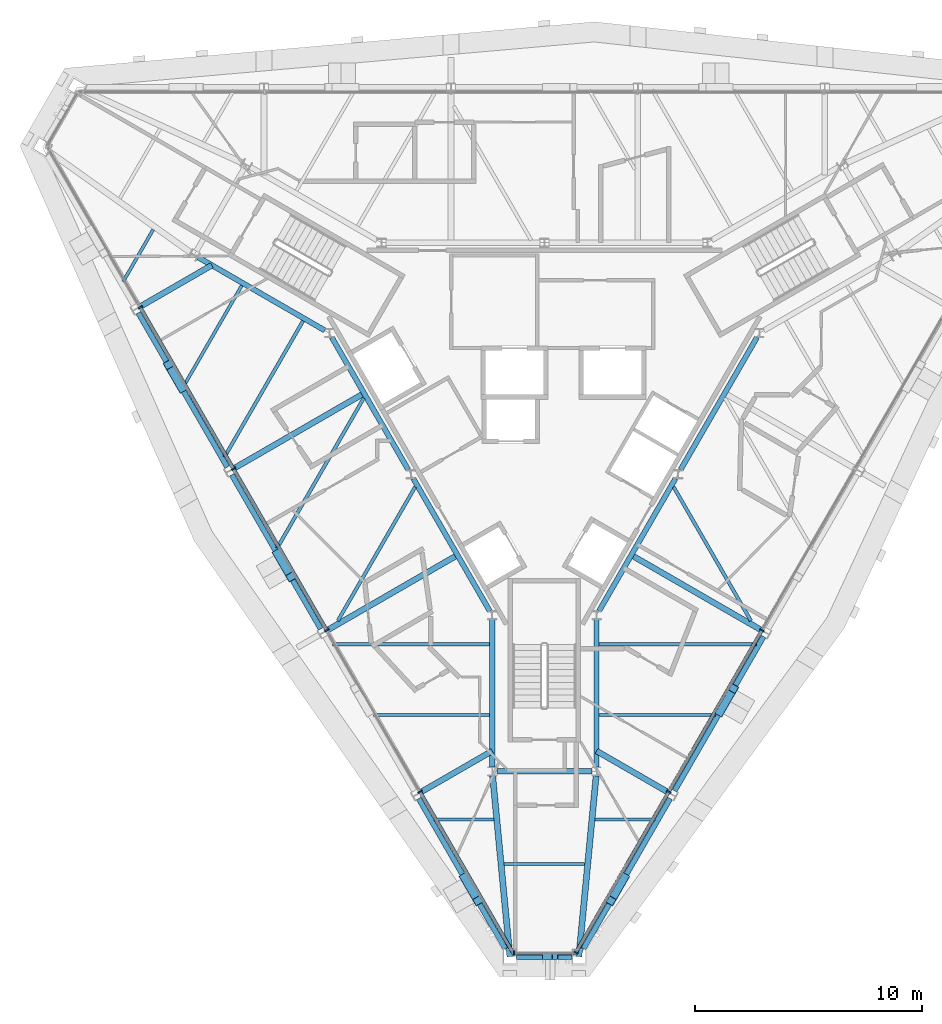
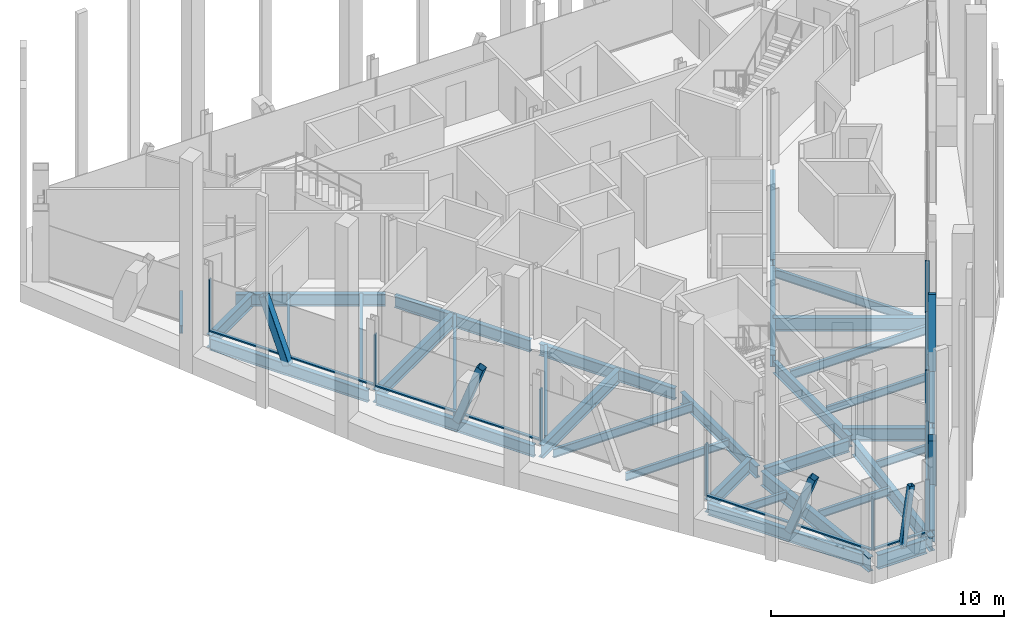
# One storey, part 3 of 13: 35 beams, 20 members, 3 elements without a shape of their own.
"""IFC4 building model written with IfcOpenShell, lengths in metres."""

from ifc_helpers import new_model, si_unit, direction, frame, origin, origin_2d, place, context, subcontext, project, spatial, rectangle, hollow_rectangle, i_section, extrude, material, material_profile, profile_set, type_object, element, aggregate, save


model = new_model("IFC4")

# Units and contexts
model_context = context("Model", 3, precision=1e-05, world=origin(), true_north=direction((0.0, 1.0)))
body_context = subcontext(model_context, "Body", "Model", "MODEL_VIEW")
ifc_project = project(units=[si_unit("LENGTHUNIT", "METRE"), si_unit("AREAUNIT", "SQUARE_METRE"), si_unit("VOLUMEUNIT", "CUBIC_METRE"), si_unit("PLANEANGLEUNIT", "RADIAN"), si_unit("MASSUNIT", "GRAM", prefix="KILO")], contexts=[model_context])

# Site, building, storey
site_placement = place(None, origin())
site = spatial("IfcSite", under=ifc_project, at=site_placement, CompositionType="ELEMENT")
building_placement = place(site_placement, origin())
building = spatial("IfcBuilding", under=site, at=building_placement, Name="Verrane Prism Tower", CompositionType="ELEMENT")
storey_placement = place(building_placement, frame((0.0, 0.0, 275.10009765625)))
storey = spatial("IfcBuildingStorey", under=building, at=storey_placement, Name="L69", CompositionType="ELEMENT", Elevation=275.10009765625)

# Member
ifc_material_1 = material(Name="Steel A500 Grade C", Category="steel")
ifc_material_profile_1 = material_profile(ifc_material_1, hollow_rectangle(XDim=0.25390625, YDim=0.25390625, WallThickness=0.009521484375, InnerFilletRadius=0.0048828125, OuterFilletRadius=0.014404296875, at=origin_2d()), Name="HSS10x10x3/8")
ifc_profile_set_1 = profile_set([ifc_material_profile_1], Name="Steel A500 Grade C")
member_type_1 = type_object("IfcMemberType", Name="Chamfer brace HSS10x10x3/8", PredefinedType="BRACE", material=ifc_profile_set_1)
member_1_placement = place(storey_placement, frame((0.04052734375, -24.669921875, -0.24267578125), z_axis=(0.13564452477, 0.0, 0.990757570196), x_axis=(0.0, 1.0, 0.0)))
element("IfcMember", 1, at=member_1_placement, inside=storey, type_object=member_type_1, Name="Chamfer brace S0 L69", PredefinedType="BRACE", context=body_context, shape_type="SweptSolid", body=[
    extrude(hollow_rectangle(XDim=0.25390625, YDim=0.25390625, WallThickness=0.009521484375, InnerFilletRadius=0.0048828125, OuterFilletRadius=0.014404296875, at=origin_2d()), origin(), (0.0, 0.0, 1.0), 3.13720703125),
])

# Beams
ifc_material_2 = material(Name="Steel A992", Category="steel")
ifc_material_profile_2 = material_profile(ifc_material_2, i_section(OverallWidth=0.2666015625, OverallDepth=0.7568359375, WebThickness=0.013916015625, FlangeThickness=0.019287109375, FilletRadius=0.0166015625, at=origin_2d()), Name="W30x108")
ifc_profile_set_2 = profile_set([ifc_material_profile_2], Name="Steel A992")
beam_type_1 = type_object("IfcBeamType", Name="Chamfer spandrel beam W30x108", PredefinedType="SPANDREL", material=ifc_profile_set_2)
beam_1_placement = place(storey_placement, frame((-1.219970703125, -24.669921875, -0.53857421875), z_axis=(1.0, 0.0, 0.0), x_axis=(0.0, 1.0, 0.0)))
element("IfcBeam", 2, at=beam_1_placement, inside=storey, type_object=beam_type_1, Name="Chamfer spandrel beam L69", PredefinedType="SPANDREL", context=body_context, shape_type="SweptSolid", body=[
    extrude(i_section(OverallWidth=0.2666015625, OverallDepth=0.7568359375, WebThickness=0.013916015625, FlangeThickness=0.019287109375, FilletRadius=0.0166015625, at=origin_2d()), origin(), (0.0, 0.0, 1.0), 2.43994140625),
])
ifc_material_3 = material(Name="Steel A992", Category="steel")
ifc_material_profile_3 = material_profile(ifc_material_3, i_section(OverallWidth=0.23046875, OverallDepth=0.6171875, WebThickness=0.01318359375, FlangeThickness=0.022216796875, FilletRadius=0.012939453125, at=origin_2d()), Name="W24x94")
ifc_profile_set_3 = profile_set([ifc_material_profile_3], Name="Steel A992")
beam_type_2 = type_object("IfcBeamType", Name="Core ring girder W24x94", PredefinedType="BEAM", material=ifc_profile_set_3)
beam_2_placement = place(storey_placement, frame((-15.267333984375, 6.160400390625, -0.55859375), z_axis=(0.866080992722, -0.499903704773, 0.0), x_axis=(0.499903704773, 0.866080992722, 0.0)))
element("IfcBeam", 3, at=beam_2_placement, inside=storey, type_object=beam_type_2, Name="Core ring girder L69", PredefinedType="BEAM", context=body_context, shape_type="SweptSolid", body=[
    extrude(i_section(OverallWidth=0.23046875, OverallDepth=0.6171875, WebThickness=0.01318359375, FlangeThickness=0.022216796875, FilletRadius=0.012939453125, at=origin_2d()), origin(), (0.0, 0.0, 1.0), 6.451904296875),
])
for number, where, z_axis, x_axis, name in (
    (4, (-9.36865234375, 2.626953125, -0.55859375), (0.499881421193, -0.866093854468, 0.0), (0.866093854468, 0.499881421193, 0.0), "Core ring girder L69"),
    (5, (-5.778564453125, -3.593017578125, -0.55859375), (0.499881421193, -0.866093854468, 0.0), (0.866093854468, 0.499881421193, 0.0), "Core ring girder L69"),
):
    element("IfcBeam", number, at=place(storey_placement, frame(where, z_axis=z_axis, x_axis=x_axis)), inside=storey, type_object=beam_type_2, Name=name, PredefinedType="BEAM", context=body_context, shape_type="SweptSolid", body=[
        extrude(i_section(OverallWidth=0.23046875, OverallDepth=0.6171875, WebThickness=0.01318359375, FlangeThickness=0.022216796875, FilletRadius=0.012939453125, at=origin_2d()), origin(), (0.0, 0.0, 1.0), 6.736083984375),
    ])
beam_3_placement = place(storey_placement, frame((-2.300048828125, -9.81298828125, -0.55859375), z_axis=(0.0, -1.0, 0.0), x_axis=(1.0, 0.0, 0.0)))
element("IfcBeam", 6, at=beam_3_placement, inside=storey, type_object=beam_type_2, Name="Core ring girder L69", PredefinedType="BEAM", context=body_context, shape_type="SweptSolid", body=[
    extrude(i_section(OverallWidth=0.23046875, OverallDepth=0.6171875, WebThickness=0.01318359375, FlangeThickness=0.022216796875, FilletRadius=0.012939453125, at=origin_2d()), origin(), (0.0, 0.0, 1.0), 6.487548828125),
])
beam_4_placement = place(storey_placement, frame((-2.099365234375, -16.5, -0.55859375), z_axis=(1.0, 0.0, 0.0), x_axis=(0.0, 1.0, 0.0)))
element("IfcBeam", 7, at=beam_4_placement, inside=storey, type_object=beam_type_2, Name="Core ring girder L69", PredefinedType="BEAM", context=body_context, shape_type="SweptSolid", body=[
    extrude(i_section(OverallWidth=0.23046875, OverallDepth=0.6171875, WebThickness=0.01318359375, FlangeThickness=0.022216796875, FilletRadius=0.012939453125, at=origin_2d()), origin(), (0.0, 0.0, 1.0), 4.19873046875),
])
beam_5_placement = place(storey_placement, frame((2.300048828125, -16.300537109375, -0.55859375), z_axis=(0.0, 1.0, 0.0), x_axis=(-1.0, 0.0, 0.0)))
element("IfcBeam", 8, at=beam_5_placement, inside=storey, type_object=beam_type_2, Name="Core ring girder L69", PredefinedType="BEAM", context=body_context, shape_type="SweptSolid", body=[
    extrude(i_section(OverallWidth=0.23046875, OverallDepth=0.6171875, WebThickness=0.01318359375, FlangeThickness=0.022216796875, FilletRadius=0.012939453125, at=origin_2d()), origin(), (0.0, 0.0, 1.0), 6.487548828125),
])
for number, where, z_axis, x_axis, name in (
    (9, (2.411376953125, -9.427001953125, -0.55859375), (0.499881421193, 0.866093854468, 0.0), (-0.866093854468, 0.499881421193, 0.0), "Core ring girder L69"),
    (10, (6.00146484375, -3.20703125, -0.55859375), (0.499881421193, 0.866093854468, 0.0), (-0.866093854468, 0.499881421193, 0.0), "Core ring girder L69"),
):
    element("IfcBeam", number, at=place(storey_placement, frame(where, z_axis=z_axis, x_axis=x_axis)), inside=storey, type_object=beam_type_2, Name=name, PredefinedType="BEAM", context=body_context, shape_type="SweptSolid", body=[
        extrude(i_section(OverallWidth=0.23046875, OverallDepth=0.6171875, WebThickness=0.01318359375, FlangeThickness=0.022216796875, FilletRadius=0.012939453125, at=origin_2d()), origin(), (0.0, 0.0, 1.0), 6.736083984375),
    ])
ifc_material_4 = material(Name="Steel A992", Category="steel")
ifc_material_profile_4 = material_profile(ifc_material_4, i_section(OverallWidth=0.2666015625, OverallDepth=0.7568359375, WebThickness=0.013916015625, FlangeThickness=0.019287109375, FilletRadius=0.0166015625, at=origin_2d()), Name="W30x108")
ifc_profile_set_4 = profile_set([ifc_material_profile_4], Name="Steel A992")
beam_type_3 = type_object("IfcBeamType", Name="Corner girder W30x108", PredefinedType="BEAM", material=ifc_profile_set_4)
for number, where, z_axis, x_axis, name in (
    (11, (-1.520263671875, -24.667236328125, -0.5986328125), (-0.095045157177, 0.995472962012, 0.0), (-0.995472962012, -0.095045157177, 0.0), "Corner girder L69"),
    (12, (1.520263671875, -24.667236328125, -0.5986328125), (0.095045157177, 0.995472962012, 0.0), (-0.995472962012, 0.095045157177, 0.0), "Corner girder L69"),
):
    element("IfcBeam", number, at=place(storey_placement, frame(where, z_axis=z_axis, x_axis=x_axis)), inside=storey, type_object=beam_type_3, Name=name, PredefinedType="BEAM", context=body_context, shape_type="SweptSolid", body=[
        extrude(i_section(OverallWidth=0.2666015625, OverallDepth=0.7568359375, WebThickness=0.013916015625, FlangeThickness=0.019287109375, FilletRadius=0.0166015625, at=origin_2d()), origin(), (0.0, 0.0, 1.0), 8.00390625),
    ])

# Members
ifc_material_5 = material(Name="Steel A500 Grade C", Category="steel")
ifc_material_profile_5 = material_profile(ifc_material_5, hollow_rectangle(XDim=0.355712890625, YDim=0.355712890625, WallThickness=0.0126953125, InnerFilletRadius=0.00634765625, OuterFilletRadius=0.01904296875, at=origin_2d()), Name="HSS14x14x1/2")
ifc_profile_set_5 = profile_set([ifc_material_profile_5], Name="Steel A500 Grade C")
member_type_2 = type_object("IfcMemberType", Name="Facade brace HSS14x14x1/2", PredefinedType="BRACE", material=ifc_profile_set_5)
member_2_placement = place(storey_placement, frame((-15.98681640625, 0.39111328125, -0.216796875), z_axis=(-0.173933329841, 0.301465343199, 0.937478449683), x_axis=(-0.866171884844, -0.499746201493, 0.0)))
element("IfcMember", 13, at=member_2_placement, inside=storey, type_object=member_type_2, Name="Facade brace SW1 L69", PredefinedType="BRACE", context=body_context, shape_type="SweptSolid", body=[
    extrude(hollow_rectangle(XDim=0.355712890625, YDim=0.355712890625, WallThickness=0.0126953125, InnerFilletRadius=0.00634765625, OuterFilletRadius=0.01904296875, at=origin_2d()), origin(), (0.0, 0.0, 1.0), 3.409423828125),
])
member_3_placement = place(storey_placement, frame((-11.773193359375, -6.906005859375, -0.216796875), z_axis=(0.173955846373, -0.301074671944, 0.937599810914), x_axis=(0.865863090637, 0.500281029295, 0.0)))
element("IfcMember", 14, at=member_3_placement, inside=storey, type_object=member_type_2, Name="Facade brace SW2 L69", PredefinedType="BRACE", context=body_context, shape_type="SweptSolid", body=[
    extrude(hollow_rectangle(XDim=0.355712890625, YDim=0.355712890625, WallThickness=0.0126953125, InnerFilletRadius=0.00634765625, OuterFilletRadius=0.01904296875, at=origin_2d()), origin(), (0.0, 0.0, 1.0), 3.408935546875),
])
for number, where, z_axis, x_axis, name in (
    (15, (-3.533203125, -21.180908203125, -0.216796875), (0.173929574815, -0.301530440323, 0.937458210569), (0.866223254293, 0.499657156181, 0.0), "Facade brace SW4 L69"),
    (16, (3.533203125, -21.180908203125, -0.216796875), (-0.173929574815, -0.301530440323, 0.937458210569), (0.866223254293, -0.499657156181, 0.0), "Facade brace SE0 L69"),
    (17, (7.74658203125, -13.87890625, -0.216796875), (0.174002769202, 0.301461587794, 0.937466771355), (-0.86608282171, 0.499900536046, 0.0), "Facade brace SE1 L69"),
):
    element("IfcMember", number, at=place(storey_placement, frame(where, z_axis=z_axis, x_axis=x_axis)), inside=storey, type_object=member_type_2, Name=name, PredefinedType="BRACE", context=body_context, shape_type="SweptSolid", body=[
        extrude(hollow_rectangle(XDim=0.355712890625, YDim=0.355712890625, WallThickness=0.0126953125, InnerFilletRadius=0.00634765625, OuterFilletRadius=0.01904296875, at=origin_2d()), origin(), (0.0, 0.0, 1.0), 3.409423828125),
    ])

# Beams
ifc_material_6 = material(Name="Steel A992", Category="steel")
ifc_material_profile_6 = material_profile(ifc_material_6, i_section(OverallWidth=0.140380859375, OverallDepth=0.40380859375, WebThickness=0.007080078125, FlangeThickness=0.01123046875, FilletRadius=0.01025390625, at=origin_2d()), Name="W16x31")
ifc_profile_set_6 = profile_set([ifc_material_profile_6], Name="Steel A992")
beam_type_4 = type_object("IfcBeamType", Name="Floor beam W16x31", PredefinedType="BEAM", material=ifc_profile_set_6)
beam_6_placement = place(storey_placement, frame((-18.565185546875, 5.089599609375, -0.362060546875), z_axis=(0.49994082229, 0.866059567356, 0.0), x_axis=(-0.866059567356, 0.49994082229, 0.0)))
element("IfcBeam", 18, at=beam_6_placement, inside=storey, type_object=beam_type_4, Name="Floor beam L69", PredefinedType="BEAM", context=body_context, shape_type="SweptSolid", body=[
    extrude(i_section(OverallWidth=0.140380859375, OverallDepth=0.40380859375, WebThickness=0.007080078125, FlangeThickness=0.01123046875, FilletRadius=0.01025390625, at=origin_2d()), origin(), (0.0, 0.0, 1.0), 2.645263671875),
])
beam_7_placement = place(storey_placement, frame((-15.902099609375, 0.474609375, -0.362060546875), z_axis=(0.500011000363, 0.866019052629, 0.0), x_axis=(-0.866019052629, 0.500011000363, 0.0)))
element("IfcBeam", 19, at=beam_7_placement, inside=storey, type_object=beam_type_4, Name="Floor beam L69", PredefinedType="BEAM", context=body_context, shape_type="SweptSolid", body=[
    extrude(i_section(OverallWidth=0.140380859375, OverallDepth=0.40380859375, WebThickness=0.007080078125, FlangeThickness=0.01123046875, FilletRadius=0.01025390625, at=origin_2d()), origin(), (0.0, 0.0, 1.0), 5.126953125),
])
beam_8_placement = place(storey_placement, frame((-7.538330078125, -14.010009765625, -0.362060546875), z_axis=(1.0, 0.0, 0.0), x_axis=(0.0, 1.0, 0.0)))
element("IfcBeam", 20, at=beam_8_placement, inside=storey, type_object=beam_type_4, Name="Floor beam L69", PredefinedType="BEAM", context=body_context, shape_type="SweptSolid", body=[
    extrude(i_section(OverallWidth=0.140380859375, OverallDepth=0.40380859375, WebThickness=0.007080078125, FlangeThickness=0.01123046875, FilletRadius=0.01025390625, at=origin_2d()), origin(), (0.0, 0.0, 1.0), 5.123291015625),
])
for number, where, z_axis, x_axis, name in (
    (21, (-4.876220703125, -18.623291015625, -0.362060546875), (1.0, 0.0, 0.0), (0.0, 1.0, 0.0), "Floor beam L69"),
    (22, (2.2314453125, -18.623291015625, -0.362060546875), (1.0, 0.0, 0.0), (0.0, 1.0, 0.0), "Floor beam L69"),
):
    element("IfcBeam", number, at=place(storey_placement, frame(where, z_axis=z_axis, x_axis=x_axis)), inside=storey, type_object=beam_type_4, Name=name, PredefinedType="BEAM", context=body_context, shape_type="SweptSolid", body=[
        extrude(i_section(OverallWidth=0.140380859375, OverallDepth=0.40380859375, WebThickness=0.007080078125, FlangeThickness=0.01123046875, FilletRadius=0.01025390625, at=origin_2d()), origin(), (0.0, 0.0, 1.0), 2.644775390625),
    ])
beam_9_placement = place(storey_placement, frame((2.4150390625, -14.010009765625, -0.362060546875), z_axis=(1.0, 0.0, 0.0), x_axis=(0.0, 1.0, 0.0)))
element("IfcBeam", 23, at=beam_9_placement, inside=storey, type_object=beam_type_4, Name="Floor beam L69", PredefinedType="BEAM", context=body_context, shape_type="SweptSolid", body=[
    extrude(i_section(OverallWidth=0.140380859375, OverallDepth=0.40380859375, WebThickness=0.007080078125, FlangeThickness=0.01123046875, FilletRadius=0.01025390625, at=origin_2d()), origin(), (0.0, 0.0, 1.0), 5.123291015625),
])
beam_10_placement = place(storey_placement, frame((-1.77587890625, -20.5849609375, -0.362060546875), z_axis=(1.0, 0.0, 0.0), x_axis=(0.0, 1.0, 0.0)))
element("IfcBeam", 24, at=beam_10_placement, inside=storey, type_object=beam_type_4, Name="Floor beam L69", PredefinedType="BEAM", context=body_context, shape_type="SweptSolid", body=[
    extrude(i_section(OverallWidth=0.140380859375, OverallDepth=0.40380859375, WebThickness=0.007080078125, FlangeThickness=0.01123046875, FilletRadius=0.01025390625, at=origin_2d()), origin(), (0.0, 0.0, 1.0), 3.5517578125),
])
ifc_material_7 = material(Name="Steel A992", Category="steel")
ifc_material_profile_7 = material_profile(ifc_material_7, i_section(OverallWidth=0.15234375, OverallDepth=0.449462890625, WebThickness=0.007568359375, FlangeThickness=0.0107421875, FilletRadius=0.01025390625, at=origin_2d()), Name="W18x35")
ifc_profile_set_7 = profile_set([ifc_material_profile_7], Name="Steel A992")
beam_type_5 = type_object("IfcBeamType", Name="Floor beam W18x35", PredefinedType="BEAM", material=ifc_profile_set_7)
beam_11_placement = place(storey_placement, frame((-14.1015625, -2.64599609375, -0.385009765625), z_axis=(0.49999287541, 0.866029517129, 0.0), x_axis=(-0.866029517129, 0.49999287541, 0.0)))
element("IfcBeam", 25, at=beam_11_placement, inside=storey, type_object=beam_type_5, Name="Floor beam L69", PredefinedType="BEAM", context=body_context, shape_type="SweptSolid", body=[
    extrude(i_section(OverallWidth=0.15234375, OverallDepth=0.449462890625, WebThickness=0.007568359375, FlangeThickness=0.0107421875, FilletRadius=0.01025390625, at=origin_2d()), origin(), (0.0, 0.0, 1.0), 6.92919921875),
])
beam_12_placement = place(storey_placement, frame((-9.103271484375, -9.864501953125, -0.385009765625), z_axis=(0.49999337185, 0.866029230515, 0.0), x_axis=(-0.866029230515, 0.49999337185, 0.0)))
element("IfcBeam", 26, at=beam_12_placement, inside=storey, type_object=beam_type_5, Name="Floor beam L69", PredefinedType="BEAM", context=body_context, shape_type="SweptSolid", body=[
    extrude(i_section(OverallWidth=0.15234375, OverallDepth=0.449462890625, WebThickness=0.007568359375, FlangeThickness=0.0107421875, FilletRadius=0.01025390625, at=origin_2d()), origin(), (0.0, 0.0, 1.0), 6.8125),
])
beam_13_placement = place(storey_placement, frame((-11.78076171875, -6.6630859375, -0.385009765625), z_axis=(0.499997113229, 0.866027070456, 0.0), x_axis=(-0.866027070456, 0.499997113229, 0.0)))
element("IfcBeam", 27, at=beam_13_placement, inside=storey, type_object=beam_type_5, Name="Floor beam L69", PredefinedType="BEAM", context=body_context, shape_type="SweptSolid", body=[
    extrude(i_section(OverallWidth=0.15234375, OverallDepth=0.449462890625, WebThickness=0.007568359375, FlangeThickness=0.0107421875, FilletRadius=0.01025390625, at=origin_2d()), origin(), (0.0, 0.0, 1.0), 7.64306640625),
])
for number, where, z_axis, x_axis, name in (
    (28, (-9.338623046875, -10.889892578125, -0.385009765625), (1.0, 0.0, 0.0), (0.0, 1.0, 0.0), "Floor beam L69"),
    (29, (2.4150390625, -10.889892578125, -0.385009765625), (1.0, 0.0, 0.0), (0.0, 1.0, 0.0), "Floor beam L69"),
):
    element("IfcBeam", number, at=place(storey_placement, frame(where, z_axis=z_axis, x_axis=x_axis)), inside=storey, type_object=beam_type_5, Name=name, PredefinedType="BEAM", context=body_context, shape_type="SweptSolid", body=[
        extrude(i_section(OverallWidth=0.15234375, OverallDepth=0.449462890625, WebThickness=0.007568359375, FlangeThickness=0.0107421875, FilletRadius=0.01025390625, at=origin_2d()), origin(), (0.0, 0.0, 1.0), 6.923583984375),
    ])
beam_14_placement = place(storey_placement, frame((9.103271484375, -9.864501953125, -0.385009765625), z_axis=(-0.49999337185, 0.866029230515, 0.0), x_axis=(-0.866029230515, -0.49999337185, 0.0)))
element("IfcBeam", 30, at=beam_14_placement, inside=storey, type_object=beam_type_5, Name="Floor beam L69", PredefinedType="BEAM", context=body_context, shape_type="SweptSolid", body=[
    extrude(i_section(OverallWidth=0.15234375, OverallDepth=0.449462890625, WebThickness=0.007568359375, FlangeThickness=0.0107421875, FilletRadius=0.01025390625, at=origin_2d()), origin(), (0.0, 0.0, 1.0), 6.8125),
])

# Curtain wall, members
ifc_material_8 = material(Name="Aluminium framed insulated glazing", Category="aluminium")
curtain_wall_type = type_object("IfcCurtainWallType", Name="Curtain wall CW-A 8400 module", PredefinedType="NOTDEFINED", material=ifc_material_8)
curtain_wall_1_placement = place(storey_placement, origin())
curtain_wall_1 = element("IfcCurtainWall", 31, at=curtain_wall_1_placement, inside=storey, type_object=curtain_wall_type, Name="Glazed curtain wall south-west face L69", PredefinedType="NOTDEFINED")
ifc_material_9 = material(Name="Aluminium alloy 6063-T6", Category="aluminium")
ifc_material_profile_8 = material_profile(ifc_material_9, rectangle(XDim=0.199951171875, YDim=0.070068359375, at=origin_2d()), Name="Mullion 70x200 aluminium")
ifc_profile_set_8 = profile_set([ifc_material_profile_8], Name="Aluminium alloy 6063-T6")
member_type_3 = type_object("IfcMemberType", Name="Mullion 70x200 aluminium", PredefinedType="MULLION", material=ifc_profile_set_8)
member_4_placement = place(storey_placement, frame((-17.8095703125, 3.952392578125, 0.0), z_axis=(0.0, 0.0, 1.0), x_axis=(0.866024861728, 0.500000938868, 0.0)))
member_4 = element("IfcMember", 32, at=member_4_placement, type_object=member_type_3, Name="CW69.4 mullion 2", PredefinedType="MULLION", context=body_context, shape_type="SweptSolid", body=[
    extrude(rectangle(XDim=0.199951171875, YDim=0.070068359375, at=origin_2d()), origin(), (0.0, 0.0, 1.0), 2.722900390625),
])
member_5_placement = place(storey_placement, frame((-13.7001953125, -3.1650390625, 0.0), z_axis=(0.0, 0.0, 1.0), x_axis=(0.866024861728, 0.500000938868, 0.0)))
member_5 = element("IfcMember", 33, at=member_5_placement, type_object=member_type_3, Name="CW69.4 mullion 3", PredefinedType="MULLION", context=body_context, shape_type="SweptSolid", body=[
    extrude(rectangle(XDim=0.199951171875, YDim=0.070068359375, at=origin_2d()), origin(), (0.0, 0.0, 1.0), 2.722900390625),
])
member_6_placement = place(storey_placement, frame((-9.591064453125, -10.2822265625, 0.0), z_axis=(0.0, 0.0, 1.0), x_axis=(0.866024861728, 0.500000938868, 0.0)))
member_6 = element("IfcMember", 34, at=member_6_placement, type_object=member_type_3, Name="CW69.4 mullion 4", PredefinedType="MULLION", context=body_context, shape_type="SweptSolid", body=[
    extrude(rectangle(XDim=0.199951171875, YDim=0.070068359375, at=origin_2d()), origin(), (0.0, 0.0, 1.0), 2.722900390625),
])
member_7_placement = place(storey_placement, frame((-5.48193359375, -17.399658203125, 0.0), z_axis=(0.0, 0.0, 1.0), x_axis=(0.866024861728, 0.500000938868, 0.0)))
member_7 = element("IfcMember", 35, at=member_7_placement, type_object=member_type_3, Name="CW69.4 mullion 5", PredefinedType="MULLION", context=body_context, shape_type="SweptSolid", body=[
    extrude(rectangle(XDim=0.199951171875, YDim=0.070068359375, at=origin_2d()), origin(), (0.0, 0.0, 1.0), 2.722900390625),
])

# Curtain wall, member
curtain_wall_2_placement = place(storey_placement, origin())
curtain_wall_2 = element("IfcCurtainWall", 36, at=curtain_wall_2_placement, inside=storey, type_object=curtain_wall_type, Name="Glazed curtain wall south corner L69", PredefinedType="NOTDEFINED")
member_8_placement = place(storey_placement, frame((-1.337646484375, -24.51708984375, 0.0), z_axis=(0.0, 0.0, 1.0), x_axis=(0.0, 1.0, 0.0)))
member_8 = element("IfcMember", 37, at=member_8_placement, type_object=member_type_3, Name="CW69.5 mullion 1", PredefinedType="MULLION", context=body_context, shape_type="SweptSolid", body=[
    extrude(rectangle(XDim=0.199951171875, YDim=0.070068359375, at=origin_2d()), origin(), (0.0, 0.0, 1.0), 2.722900390625),
])

# Curtain wall, members
curtain_wall_3_placement = place(storey_placement, origin())
curtain_wall_3 = element("IfcCurtainWall", 38, at=curtain_wall_3_placement, inside=storey, type_object=curtain_wall_type, Name="Glazed curtain wall south-east face L69", PredefinedType="NOTDEFINED")
member_9_placement = place(storey_placement, frame((1.39013671875, -24.486572265625, 0.0), z_axis=(0.0, 0.0, 1.0), x_axis=(-0.866024861728, 0.500000938868, 0.0)))
member_9 = element("IfcMember", 39, at=member_9_placement, type_object=member_type_3, Name="CW69.6 mullion 1", PredefinedType="MULLION", context=body_context, shape_type="SweptSolid", body=[
    extrude(rectangle(XDim=0.199951171875, YDim=0.070068359375, at=origin_2d()), origin(), (0.0, 0.0, 1.0), 2.722900390625),
])
member_10_placement = place(storey_placement, frame((5.48193359375, -17.399658203125, 0.0), z_axis=(0.0, 0.0, 1.0), x_axis=(-0.866024861728, 0.500000938868, 0.0)))
member_10 = element("IfcMember", 40, at=member_10_placement, type_object=member_type_3, Name="CW69.6 mullion 2", PredefinedType="MULLION", context=body_context, shape_type="SweptSolid", body=[
    extrude(rectangle(XDim=0.199951171875, YDim=0.070068359375, at=origin_2d()), origin(), (0.0, 0.0, 1.0), 2.722900390625),
])
member_11_placement = place(storey_placement, frame((9.591064453125, -10.2822265625, 0.0), z_axis=(0.0, 0.0, 1.0), x_axis=(-0.866024861728, 0.500000938868, 0.0)))
member_11 = element("IfcMember", 41, at=member_11_placement, type_object=member_type_3, Name="CW69.6 mullion 3", PredefinedType="MULLION", context=body_context, shape_type="SweptSolid", body=[
    extrude(rectangle(XDim=0.199951171875, YDim=0.070068359375, at=origin_2d()), origin(), (0.0, 0.0, 1.0), 2.722900390625),
])

# Beams
ifc_material_10 = material(Name="Steel A992", Category="steel")
ifc_material_profile_9 = material_profile(ifc_material_10, i_section(OverallWidth=0.25390625, OverallDepth=0.683349609375, WebThickness=0.012451171875, FlangeThickness=0.01904296875, FilletRadius=0.01513671875, at=origin_2d()), Name="W27x94")
ifc_profile_set_9 = profile_set([ifc_material_profile_9], Name="Steel A992")
beam_type_6 = type_object("IfcBeamType", Name="Radial girder W27x94", PredefinedType="BEAM", material=ifc_profile_set_9)
beam_15_placement = place(storey_placement, frame((-17.837158203125, 3.97412109375, -0.561767578125), z_axis=(0.866040472627, 0.499973899091, 0.0), x_axis=(-0.499973899091, 0.866040472627, 0.0)))
element("IfcBeam", 42, at=beam_15_placement, inside=storey, type_object=beam_type_6, Name="Radial girder L69", PredefinedType="BEAM", context=body_context, shape_type="SweptSolid", body=[
    extrude(i_section(OverallWidth=0.25390625, OverallDepth=0.683349609375, WebThickness=0.012451171875, FlangeThickness=0.01904296875, FilletRadius=0.01513671875, at=origin_2d()), origin(), (0.0, 0.0, 1.0), 3.670166015625),
])
beam_16_placement = place(storey_placement, frame((-13.71728515625, -3.166015625, -0.561767578125), z_axis=(0.866033637652, 0.499985738252, 0.0), x_axis=(-0.499985738252, 0.866033637652, 0.0)))
element("IfcBeam", 43, at=beam_16_placement, inside=storey, type_object=beam_type_6, Name="Radial girder L69", PredefinedType="BEAM", context=body_context, shape_type="SweptSolid", body=[
    extrude(i_section(OverallWidth=0.25390625, OverallDepth=0.683349609375, WebThickness=0.012451171875, FlangeThickness=0.01904296875, FilletRadius=0.01513671875, at=origin_2d()), origin(), (0.0, 0.0, 1.0), 6.662353515625),
])
beam_17_placement = place(storey_placement, frame((-9.59716796875, -10.2958984375, -0.561767578125), z_axis=(0.866029870483, 0.499992263371, 0.0), x_axis=(-0.499992263371, 0.866029870483, 0.0)))
element("IfcBeam", 44, at=beam_17_placement, inside=storey, type_object=beam_type_6, Name="Radial girder L69", PredefinedType="BEAM", context=body_context, shape_type="SweptSolid", body=[
    extrude(i_section(OverallWidth=0.25390625, OverallDepth=0.683349609375, WebThickness=0.012451171875, FlangeThickness=0.01904296875, FilletRadius=0.01513671875, at=origin_2d()), origin(), (0.0, 0.0, 1.0), 6.65771484375),
])
for number, where, z_axis, x_axis, name in (
    (45, (-5.477294921875, -17.43603515625, -0.561767578125), (0.866043741627, 0.499968236579, 0.0), (-0.499968236579, 0.866043741627, 0.0), "Radial girder L69"),
    (46, (5.477294921875, -17.43603515625, -0.561767578125), (-0.866043741627, 0.499968236579, 0.0), (-0.499968236579, -0.866043741627, 0.0), "Radial girder L69"),
):
    element("IfcBeam", number, at=place(storey_placement, frame(where, z_axis=z_axis, x_axis=x_axis)), inside=storey, type_object=beam_type_6, Name=name, PredefinedType="BEAM", context=body_context, shape_type="SweptSolid", body=[
        extrude(i_section(OverallWidth=0.25390625, OverallDepth=0.683349609375, WebThickness=0.012451171875, FlangeThickness=0.01904296875, FilletRadius=0.01513671875, at=origin_2d()), origin(), (0.0, 0.0, 1.0), 3.668701171875),
    ])
beam_18_placement = place(storey_placement, frame((9.59716796875, -10.2958984375, -0.561767578125), z_axis=(-0.866029870483, 0.499992263371, 0.0), x_axis=(-0.499992263371, -0.866029870483, 0.0)))
element("IfcBeam", 47, at=beam_18_placement, inside=storey, type_object=beam_type_6, Name="Radial girder L69", PredefinedType="BEAM", context=body_context, shape_type="SweptSolid", body=[
    extrude(i_section(OverallWidth=0.25390625, OverallDepth=0.683349609375, WebThickness=0.012451171875, FlangeThickness=0.01904296875, FilletRadius=0.01513671875, at=origin_2d()), origin(), (0.0, 0.0, 1.0), 6.65771484375),
])
ifc_material_11 = material(Name="Steel A992", Category="steel")
ifc_material_profile_10 = material_profile(ifc_material_11, i_section(OverallWidth=0.23046875, OverallDepth=0.6171875, WebThickness=0.01318359375, FlangeThickness=0.022216796875, FilletRadius=0.012939453125, at=origin_2d()), Name="W24x94")
ifc_profile_set_10 = profile_set([ifc_material_profile_10], Name="Steel A992")
beam_type_7 = type_object("IfcBeamType", Name="Spandrel beam W24x94", PredefinedType="SPANDREL", material=ifc_profile_set_10)
beam_19_placement = place(storey_placement, frame((-17.901611328125, 3.70947265625, -0.46875), z_axis=(0.499775405071, -0.866155034902, 0.0), x_axis=(0.866155034902, 0.499775405071, 0.0)))
element("IfcBeam", 48, at=beam_19_placement, inside=storey, type_object=beam_type_7, Name="Spandrel beam L69", PredefinedType="SPANDREL", context=body_context, shape_type="SweptSolid", body=[
    extrude(i_section(OverallWidth=0.23046875, OverallDepth=0.6171875, WebThickness=0.01318359375, FlangeThickness=0.022216796875, FilletRadius=0.012939453125, at=origin_2d()), origin(), (0.0, 0.0, 1.0), 7.849609375),
])
beam_20_placement = place(storey_placement, frame((-13.781494140625, -3.430419921875, -0.46875), z_axis=(0.500327915282, -0.865835999015, 0.0), x_axis=(0.865835999015, 0.500327915282, 0.0)))
element("IfcBeam", 49, at=beam_20_placement, inside=storey, type_object=beam_type_7, Name="Spandrel beam L69", PredefinedType="SPANDREL", context=body_context, shape_type="SweptSolid", body=[
    extrude(i_section(OverallWidth=0.23046875, OverallDepth=0.6171875, WebThickness=0.01318359375, FlangeThickness=0.022216796875, FilletRadius=0.012939453125, at=origin_2d()), origin(), (0.0, 0.0, 1.0), 7.841064453125),
])
for number, where, z_axis, x_axis, name in (
    (50, (-5.54150390625, -17.700439453125, -0.46875), (0.499777762154, -0.86615367485, 0.0), (0.86615367485, 0.499777762154, 0.0), "Spandrel beam L69"),
    (51, (1.721923828125, -24.320068359375, -0.46875), (0.499777762154, 0.86615367485, 0.0), (-0.86615367485, 0.499777762154, 0.0), "Spandrel beam L69"),
):
    element("IfcBeam", number, at=place(storey_placement, frame(where, z_axis=z_axis, x_axis=x_axis)), inside=storey, type_object=beam_type_7, Name=name, PredefinedType="SPANDREL", context=body_context, shape_type="SweptSolid", body=[
        extrude(i_section(OverallWidth=0.23046875, OverallDepth=0.6171875, WebThickness=0.01318359375, FlangeThickness=0.022216796875, FilletRadius=0.012939453125, at=origin_2d()), origin(), (0.0, 0.0, 1.0), 7.642578125),
    ])
beam_21_placement = place(storey_placement, frame((5.73828125, -17.359619140625, -0.46875), z_axis=(0.499798737888, 0.866141571341, 0.0), x_axis=(-0.866141571341, 0.499798737888, 0.0)))
element("IfcBeam", 52, at=beam_21_placement, inside=storey, type_object=beam_type_7, Name="Spandrel beam L69", PredefinedType="SPANDREL", context=body_context, shape_type="SweptSolid", body=[
    extrude(i_section(OverallWidth=0.23046875, OverallDepth=0.6171875, WebThickness=0.01318359375, FlangeThickness=0.022216796875, FilletRadius=0.012939453125, at=origin_2d()), origin(), (0.0, 0.0, 1.0), 7.849853515625),
])

# Member
ifc_material_12 = material(Name="Aluminium alloy 6063-T6", Category="aluminium")
ifc_material_profile_11 = material_profile(ifc_material_12, rectangle(XDim=0.14990234375, YDim=0.070068359375, at=origin_2d()), Name="Transom 70x150 aluminium")
ifc_profile_set_11 = profile_set([ifc_material_profile_11], Name="Aluminium alloy 6063-T6")
member_type_4 = type_object("IfcMemberType", Name="Transom 70x150 aluminium", PredefinedType="USERDEFINED", material=ifc_profile_set_11)
member_12_placement = place(storey_placement, frame((-17.7919921875, 3.922119140625, 0.034912109375), z_axis=(0.500006018292, -0.866021929094, 0.0), x_axis=(0.866021929094, 0.500006018292, 0.0)))
member_12 = element("IfcMember", 53, at=member_12_placement, type_object=member_type_4, Name="CW69.4 transom 2", ObjectType="TRANSOM", PredefinedType="USERDEFINED", context=body_context, shape_type="SweptSolid", body=[
    extrude(rectangle(XDim=0.14990234375, YDim=0.070068359375, at=origin_2d()), origin(), (0.0, 0.0, 1.0), 8.1484375),
])

member_13_placement = place(storey_placement, frame((-13.682861328125, -3.1953125, 0.034912109375), z_axis=(0.500006018292, -0.866021929094, 0.0), x_axis=(0.866021929094, 0.500006018292, 0.0)))
member_13 = element("IfcMember", 54, at=member_13_placement, type_object=member_type_4, Name="CW69.4 transom 3", ObjectType="TRANSOM", PredefinedType="USERDEFINED", context=body_context, shape_type="SweptSolid", body=[
    extrude(rectangle(XDim=0.14990234375, YDim=0.070068359375, at=origin_2d()), origin(), (0.0, 0.0, 1.0), 8.1484375),
])

member_14_placement = place(storey_placement, frame((-5.46435546875, -17.429931640625, 0.034912109375), z_axis=(0.500002215902, -0.866024124429, 0.0), x_axis=(0.866024124429, 0.500002215902, 0.0)))
member_14 = element("IfcMember", 55, at=member_14_placement, type_object=member_type_4, Name="CW69.4 transom 5", ObjectType="TRANSOM", PredefinedType="USERDEFINED", context=body_context, shape_type="SweptSolid", body=[
    extrude(rectangle(XDim=0.14990234375, YDim=0.070068359375, at=origin_2d()), origin(), (0.0, 0.0, 1.0), 8.18359375),
])

aggregate(curtain_wall_1, [member_4, member_5, member_6, member_7, member_12, member_13, member_14])

member_15_placement = place(storey_placement, frame((-1.302490234375, -24.51708984375, 0.034912109375), z_axis=(1.0, 0.0, 0.0), x_axis=(0.0, 1.0, 0.0)))
member_15 = element("IfcMember", 56, at=member_15_placement, type_object=member_type_4, Name="CW69.5 transom 1", ObjectType="TRANSOM", PredefinedType="USERDEFINED", context=body_context, shape_type="SweptSolid", body=[
    extrude(rectangle(XDim=0.14990234375, YDim=0.070068359375, at=origin_2d()), origin(), (0.0, 0.0, 1.0), 2.675048828125),
])

aggregate(curtain_wall_2, [member_8, member_15])

member_16_placement = place(storey_placement, frame((1.40771484375, -24.456298828125, 0.034912109375), z_axis=(0.499996823547, 0.866027237703, 0.0), x_axis=(-0.866027237703, 0.499996823547, 0.0)))
member_16 = element("IfcMember", 57, at=member_16_placement, type_object=member_type_4, Name="CW69.6 transom 1", ObjectType="TRANSOM", PredefinedType="USERDEFINED", context=body_context, shape_type="SweptSolid", body=[
    extrude(rectangle(XDim=0.14990234375, YDim=0.070068359375, at=origin_2d()), origin(), (0.0, 0.0, 1.0), 8.11328125),
])

member_17_placement = place(storey_placement, frame((5.499267578125, -17.369384765625, 0.034912109375), z_axis=(0.499993044538, 0.866029419485, 0.0), x_axis=(-0.866029419485, 0.499993044538, 0.0)))
member_17 = element("IfcMember", 58, at=member_17_placement, type_object=member_type_4, Name="CW69.6 transom 2", ObjectType="TRANSOM", PredefinedType="USERDEFINED", context=body_context, shape_type="SweptSolid", body=[
    extrude(rectangle(XDim=0.14990234375, YDim=0.070068359375, at=origin_2d()), origin(), (0.0, 0.0, 1.0), 8.1484375),
])

aggregate(curtain_wall_3, [member_9, member_10, member_11, member_16, member_17])

save(model, "model.ifc")
